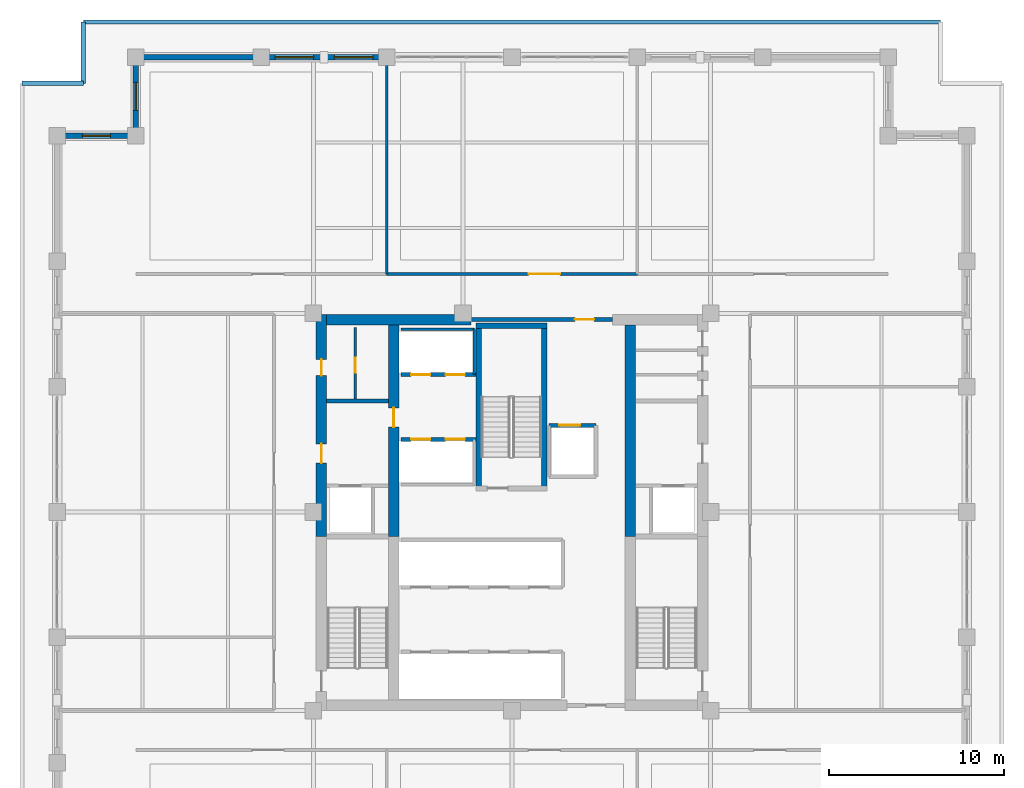
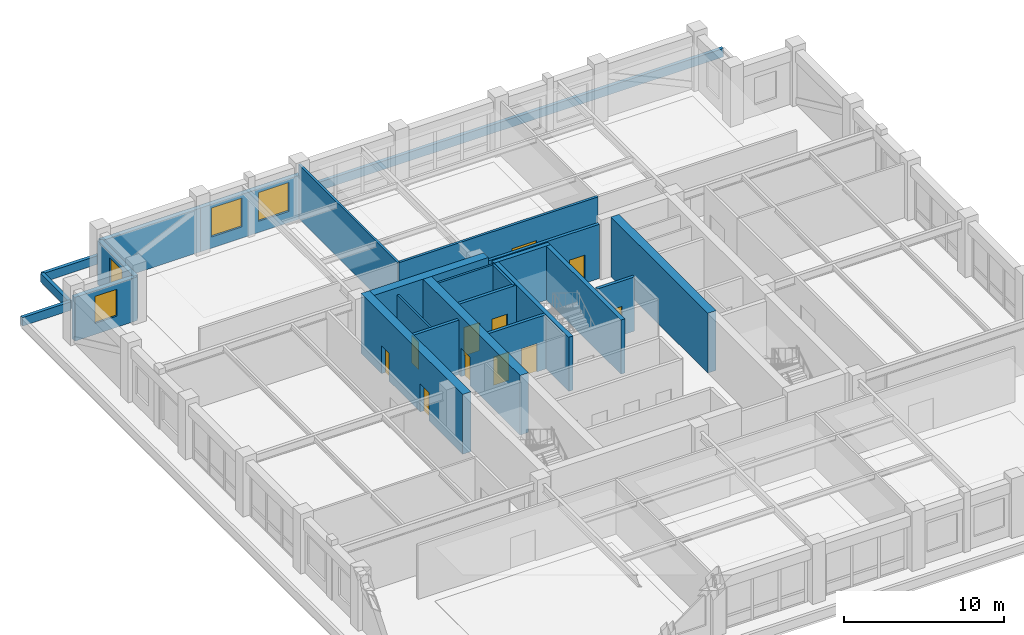
# One storey, part 10 of 16: 24 walls, 11 doors, 4 windows, 15 openings.
"""IFC4 building model written with IfcOpenShell, lengths in metres."""

from ifc_helpers import new_model, si_unit, direction, frame, frame_2d, origin, place, context, subcontext, project, spatial, rectangle, extrude, material, layer, layer_set, type_object, element, fill, save


model = new_model("IFC4")

# Units and contexts
model_context = context("Model", 3, precision=1e-05, world=origin(), true_north=direction((0.0, 1.0)))
body_context = subcontext(model_context, "Body", "Model", "MODEL_VIEW")
ifc_project = project(units=[si_unit("LENGTHUNIT", "METRE"), si_unit("AREAUNIT", "SQUARE_METRE"), si_unit("VOLUMEUNIT", "CUBIC_METRE"), si_unit("PLANEANGLEUNIT", "RADIAN"), si_unit("MASSUNIT", "GRAM", prefix="KILO")], contexts=[model_context])

# Site, building, storey
site_placement = place(None, origin())
site = spatial("IfcSite", under=ifc_project, at=site_placement, CompositionType="ELEMENT")
building_placement = place(site_placement, origin())
building = spatial("IfcBuilding", under=site, at=building_placement, Name="Nhamokura Convention Tower", CompositionType="ELEMENT")
storey_placement = place(building_placement, frame((0.0, 0.0, 106.050048828125)))
storey = spatial("IfcBuildingStorey", under=building, at=storey_placement, Name="L25", CompositionType="ELEMENT", Elevation=106.050048828125)

# Wall, opening, door
ifc_material_1 = material(Name="Moisture-resistant tile-backer partition", Category="masonry")
ifc_layer_1 = layer(ifc_material_1, 0.139892578125)
ifc_layer_set_1 = layer_set([ifc_layer_1], Name="BathroomWetWall_140")
wall_type_1 = type_object("IfcWallType", Name="BathroomWetWall_140", PredefinedType="STANDARD", material=ifc_layer_set_1)
wall_1_placement = place(storey_placement, frame((23.050048828125, 38.449951171875, 0.0), z_axis=(0.0, 0.0, 1.0), x_axis=(0.0, 1.0, 0.0)))
wall_1 = element("IfcWall", 1, at=wall_1_placement, inside=storey, type_object=wall_type_1, Name="L25 Wall INT-L25-CWNWV", PredefinedType="STANDARD", context=body_context, shape_type="SweptSolid", body=[
    extrude(rectangle(XDim=4.10009765625, YDim=0.139892578125, at=frame_2d((2.050048828125, 0.0))), origin(), (0.0, 0.0, 1.0), 4.1298828125),
])
opening_1_placement = place(wall_1_placement, frame((1.5, 0.0, 0.0)))
opening_1 = element("IfcOpeningElement", 2, at=opening_1_placement, cuts=wall_1, Name="Opening D-11", PredefinedType="OPENING", context=body_context, shape_type="SweptSolid", body=[
    extrude(rectangle(XDim=0.8798828125, YDim=2.10009765625, at=frame_2d((0.43994140625, 1.050048828125))), frame((0.0, 0.079833984375, 0.0), z_axis=(0.0, -1.0, 0.0), x_axis=(1.0, 0.0, 0.0)), (0.0, 0.0, 1.0), 0.159912109375),
])
ifc_material_2 = material(Name="Solid oak hardwood", Category="wood")
door_type_1 = type_object("IfcDoorType", Name="BathroomDoor_880", OperationType="NOTDEFINED", PredefinedType="DOOR", material=ifc_material_2)
door_1_placement = place(opening_1_placement, origin())
door_1 = element("IfcDoor", 3, at=door_1_placement, inside=storey, type_object=door_type_1, Name="L25 Inner Store Door", OperationType="SINGLE_SWING_LEFT", OverallHeight=2.10009765625, OverallWidth=0.8798828125, PredefinedType="DOOR", context=body_context, shape_type="SweptSolid", body=[
    extrude(rectangle(XDim=0.8798828125, YDim=2.10009765625, at=frame_2d((0.43994140625, 1.050048828125))), frame((0.0, 0.02490234375, 0.0), z_axis=(0.0, -1.0, 0.0), x_axis=(1.0, 0.0, 0.0)), (0.0, 0.0, 1.0), 0.050048828125),
])
fill(opening_1, door_1)

# Wall
ifc_material_3 = material(Name="Bronze-pigmented precast concrete C45/55", Category="concrete")
ifc_layer_2 = layer(ifc_material_3, 0.320068359375)
ifc_layer_set_2 = layer_set([ifc_layer_2], Name="BronzePrecastSpandrel_320")
wall_type_2 = type_object("IfcWallType", Name="BronzePrecastSpandrel_320", PredefinedType="USERDEFINED", material=ifc_layer_set_2)
wall_2_placement = place(storey_placement, frame((10.5, 58.0, 0.0), z_axis=(0.0, 0.0, 1.0), x_axis=(1.0, 0.0, 0.0)))
element("IfcWall", 4, at=wall_2_placement, inside=storey, type_object=wall_type_2, Name="L25 Braced-Bay Precast Wall NORTH 0", ObjectType="SPANDREL_WALL", PredefinedType="USERDEFINED", context=body_context, shape_type="SweptSolid", body=[
    extrude(rectangle(XDim=7.166748046875, YDim=0.320068359375, at=frame_2d((3.58349609375, 0.0))), origin(), (0.0, 0.0, 1.0), 3.329833984375),
])

# Wall, openings, windows
wall_3_placement = place(storey_placement, frame((17.666748046875, 58.0, 0.0), z_axis=(0.0, 0.0, 1.0), x_axis=(1.0, 0.0, 0.0)))
wall_3 = element("IfcWall", 5, at=wall_3_placement, inside=storey, type_object=wall_type_2, Name="L25 Masonry-Frame Wall NORTH 1", ObjectType="SPANDREL_WALL", PredefinedType="USERDEFINED", context=body_context, shape_type="SweptSolid", body=[
    extrude(rectangle(XDim=7.16650390625, YDim=0.320068359375, at=frame_2d((3.583251953125, 0.0))), origin(), (0.0, 0.0, 1.0), 3.329833984375),
])
opening_2_placement = place(wall_3_placement, frame((0.791748046875, 0.0, 0.85009765625)))
opening_2 = element("IfcOpeningElement", 6, at=opening_2_placement, cuts=wall_3, Name="Opening W-06", PredefinedType="OPENING", context=body_context, shape_type="SweptSolid", body=[
    extrude(rectangle(XDim=2.199951171875, YDim=2.199951171875, at=frame_2d((1.10009765625, 1.10009765625))), frame((0.0, 0.169921875, 0.0), z_axis=(0.0, -1.0, 0.0), x_axis=(1.0, 0.0, 0.0)), (0.0, 0.0, 1.0), 0.340087890625),
])
opening_3_placement = place(wall_3_placement, frame((4.175048828125, 0.0, 0.85009765625)))
opening_3 = element("IfcOpeningElement", 7, at=opening_3_placement, cuts=wall_3, Name="Opening W-06", PredefinedType="OPENING", context=body_context, shape_type="SweptSolid", body=[
    extrude(rectangle(XDim=2.199951171875, YDim=2.199951171875, at=frame_2d((1.10009765625, 1.10009765625))), frame((0.0, 0.169921875, 0.0), z_axis=(0.0, -1.0, 0.0), x_axis=(1.0, 0.0, 0.0)), (0.0, 0.0, 1.0), 0.340087890625),
])
ifc_material_4 = material(Name="Solar-control bronze low-E double glass", Category="glass")
window_type_1 = type_object("IfcWindowType", Name="OfficeModuleWindow_Z2_2200", PartitioningType="SINGLE_PANEL", PredefinedType="WINDOW", material=ifc_material_4)
window_1_placement = place(opening_2_placement, origin())
window_1 = element("IfcWindow", 8, at=window_1_placement, inside=storey, type_object=window_type_1, Name="L25 Facade Window NORTH 1-1", OverallHeight=2.199951171875, OverallWidth=2.199951171875, PartitioningType="SINGLE_PANEL", PredefinedType="WINDOW", context=body_context, shape_type="SweptSolid", body=[
    extrude(rectangle(XDim=2.199951171875, YDim=2.199951171875, at=frame_2d((1.10009765625, 1.10009765625))), frame((0.0, 0.030029296875, 0.0), z_axis=(0.0, -1.0, 0.0), x_axis=(1.0, 0.0, 0.0)), (0.0, 0.0, 1.0), 0.06005859375),
])
fill(opening_2, window_1)
window_2_placement = place(opening_3_placement, origin())
window_2 = element("IfcWindow", 9, at=window_2_placement, inside=storey, type_object=window_type_1, Name="L25 Facade Window NORTH 1-2", OverallHeight=2.199951171875, OverallWidth=2.199951171875, PartitioningType="SINGLE_PANEL", PredefinedType="WINDOW", context=body_context, shape_type="SweptSolid", body=[
    extrude(rectangle(XDim=2.199951171875, YDim=2.199951171875, at=frame_2d((1.10009765625, 1.10009765625))), frame((0.0, 0.030029296875, 0.0), z_axis=(0.0, -1.0, 0.0), x_axis=(1.0, 0.0, 0.0)), (0.0, 0.0, 1.0), 0.06005859375),
])
fill(opening_3, window_2)

# Wall, opening, window
wall_4_placement = place(storey_placement, frame((10.5, 53.5, 0.0), z_axis=(0.0, 0.0, 1.0), x_axis=(0.0, 1.0, 0.0)))
wall_4 = element("IfcWall", 10, at=wall_4_placement, inside=storey, type_object=wall_type_2, Name="L25 Notched Corner Wall NW1", ObjectType="SPANDREL_WALL", PredefinedType="USERDEFINED", context=body_context, shape_type="SweptSolid", body=[
    extrude(rectangle(XDim=4.5, YDim=0.320068359375, at=frame_2d((2.25, 0.0))), origin(), (0.0, 0.0, 1.0), 3.329833984375),
])
opening_4_placement = place(wall_4_placement, frame((1.449951171875, 0.0, 0.85009765625)))
opening_4 = element("IfcOpeningElement", 11, at=opening_4_placement, cuts=wall_4, Name="Opening W-11", PredefinedType="OPENING", context=body_context, shape_type="SweptSolid", body=[
    extrude(rectangle(XDim=1.60009765625, YDim=2.050048828125, at=frame_2d((0.800048828125, 1.02490234375))), frame((0.0, 0.169921875, 0.0), z_axis=(0.0, -1.0, 0.0), x_axis=(1.0, 0.0, 0.0)), (0.0, 0.0, 1.0), 0.340087890625),
])
ifc_material_5 = material(Name="Solar-control bronze low-E double glass", Category="glass")
window_type_2 = type_object("IfcWindowType", Name="NotchCornerWindow_1600", PartitioningType="SINGLE_PANEL", PredefinedType="WINDOW", material=ifc_material_5)
window_3_placement = place(opening_4_placement, origin())
window_3 = element("IfcWindow", 12, at=window_3_placement, inside=storey, type_object=window_type_2, Name="L25 Notched Corner Window NW1", OverallHeight=2.050048828125, OverallWidth=1.60009765625, PartitioningType="SINGLE_PANEL", PredefinedType="WINDOW", context=body_context, shape_type="SweptSolid", body=[
    extrude(rectangle(XDim=1.60009765625, YDim=2.050048828125, at=frame_2d((0.800048828125, 1.02490234375))), frame((0.0, 0.030029296875, 0.0), z_axis=(0.0, -1.0, 0.0), x_axis=(1.0, 0.0, 0.0)), (0.0, 0.0, 1.0), 0.06005859375),
])
fill(opening_4, window_3)

wall_5_placement = place(storey_placement, frame((6.0, 53.5, 0.0), z_axis=(0.0, 0.0, 1.0), x_axis=(1.0, 0.0, 0.0)))
wall_5 = element("IfcWall", 13, at=wall_5_placement, inside=storey, type_object=wall_type_2, Name="L25 Notched Corner Wall NW2", ObjectType="SPANDREL_WALL", PredefinedType="USERDEFINED", context=body_context, shape_type="SweptSolid", body=[
    extrude(rectangle(XDim=4.5, YDim=0.320068359375, at=frame_2d((2.25, 0.0))), origin(), (0.0, 0.0, 1.0), 3.329833984375),
])
opening_5_placement = place(wall_5_placement, frame((1.449951171875, 0.0, 0.85009765625)))
opening_5 = element("IfcOpeningElement", 14, at=opening_5_placement, cuts=wall_5, Name="Opening W-11", PredefinedType="OPENING", context=body_context, shape_type="SweptSolid", body=[
    extrude(rectangle(XDim=1.60009765625, YDim=2.050048828125, at=frame_2d((0.800048828125, 1.02490234375))), frame((0.0, 0.169921875, 0.0), z_axis=(0.0, -1.0, 0.0), x_axis=(1.0, 0.0, 0.0)), (0.0, 0.0, 1.0), 0.340087890625),
])
window_4_placement = place(opening_5_placement, origin())
window_4 = element("IfcWindow", 15, at=window_4_placement, inside=storey, type_object=window_type_2, Name="L25 Notched Corner Window NW2", OverallHeight=2.050048828125, OverallWidth=1.60009765625, PartitioningType="SINGLE_PANEL", PredefinedType="WINDOW", context=body_context, shape_type="SweptSolid", body=[
    extrude(rectangle(XDim=1.60009765625, YDim=2.050048828125, at=frame_2d((0.800048828125, 1.02490234375))), frame((0.0, 0.030029296875, 0.0), z_axis=(0.0, -1.0, 0.0), x_axis=(1.0, 0.0, 0.0)), (0.0, 0.0, 1.0), 0.06005859375),
])
fill(opening_5, window_4)

# Wall, openings, doors
ifc_material_6 = material(Name="Concrete C60/75", Category="concrete")
ifc_layer_3 = layer(ifc_material_6, 0.60009765625)
ifc_layer_set_3 = layer_set([ifc_layer_3], Name="CoreShearWall_600")
wall_type_3 = type_object("IfcWallType", Name="CoreShearWall_600", PredefinedType="SHEAR", material=ifc_layer_set_3)
wall_6_placement = place(storey_placement, frame((21.110107421875, 30.60009765625, 0.0), z_axis=(0.0, 0.0, 1.0), x_axis=(0.0, 1.0, 0.0)))
wall_6 = element("IfcWall", 16, at=wall_6_placement, inside=storey, type_object=wall_type_3, Name="L25 Core Shear Wall CW-WN", PredefinedType="SHEAR", context=body_context, shape_type="SweptSolid", body=[
    extrude(rectangle(XDim=12.699951171875, YDim=0.60009765625, at=frame_2d((6.35009765625, 0.0))), origin(), (0.0, 0.0, 1.0), 4.550048828125),
])
opening_6_placement = place(wall_6_placement, frame((4.199951171875, 0.0, 0.0)))
opening_6 = element("IfcOpeningElement", 17, at=opening_6_placement, cuts=wall_6, Name="Opening D-05", PredefinedType="OPENING", context=body_context, shape_type="SweptSolid", body=[
    extrude(rectangle(XDim=1.10009765625, YDim=2.14990234375, at=frame_2d((0.550048828125, 1.074951171875))), frame((0.0, 0.31005859375, 0.0), z_axis=(0.0, -1.0, 0.0), x_axis=(1.0, 0.0, 0.0)), (0.0, 0.0, 1.0), 0.6201171875),
])
opening_7_placement = place(wall_6_placement, frame((9.199951171875, 0.0, 0.0)))
opening_7 = element("IfcOpeningElement", 18, at=opening_7_placement, cuts=wall_6, Name="Opening D-10", PredefinedType="OPENING", context=body_context, shape_type="SweptSolid", body=[
    extrude(rectangle(XDim=0.919921875, YDim=2.10009765625, at=frame_2d((0.4599609375, 1.050048828125))), frame((0.0, 0.31005859375, 0.0), z_axis=(0.0, -1.0, 0.0), x_axis=(1.0, 0.0, 0.0)), (0.0, 0.0, 1.0), 0.6201171875),
])
ifc_material_7 = material(Name="Solid oak hardwood", Category="wood")
door_type_2 = type_object("IfcDoorType", Name="AccessibleWCDoor_920", OperationType="NOTDEFINED", PredefinedType="DOOR", material=ifc_material_7)
door_2_placement = place(opening_7_placement, origin())
door_2 = element("IfcDoor", 19, at=door_2_placement, inside=storey, type_object=door_type_2, Name="L25 Core Door INT-L25-D-AWCW", OperationType="SINGLE_SWING_RIGHT", OverallHeight=2.10009765625, OverallWidth=0.919921875, PredefinedType="DOOR", context=body_context, shape_type="SweptSolid", body=[
    extrude(rectangle(XDim=0.919921875, YDim=2.10009765625, at=frame_2d((0.4599609375, 1.050048828125))), frame((0.0, 0.02490234375, 0.0), z_axis=(0.0, -1.0, 0.0), x_axis=(1.0, 0.0, 0.0)), (0.0, 0.0, 1.0), 0.050048828125),
])
fill(opening_7, door_2)
ifc_material_8 = material(Name="Fire-rated steel door", Category="steel")
door_type_3 = type_object("IfcDoorType", Name="FireLobbyDoor_1100", OperationType="NOTDEFINED", PredefinedType="DOOR", material=ifc_material_8)
door_3_placement = place(opening_6_placement, origin())
door_3 = element("IfcDoor", 20, at=door_3_placement, inside=storey, type_object=door_type_3, Name="L25 Core Door INT-L25-D-FFLW", OperationType="SINGLE_SWING_RIGHT", OverallHeight=2.14990234375, OverallWidth=1.10009765625, PredefinedType="DOOR", context=body_context, shape_type="SweptSolid", body=[
    extrude(rectangle(XDim=1.10009765625, YDim=2.14990234375, at=frame_2d((0.550048828125, 1.074951171875))), frame((0.0, 0.02490234375, 0.0), z_axis=(0.0, -1.0, 0.0), x_axis=(1.0, 0.0, 0.0)), (0.0, 0.0, 1.0), 0.050048828125),
])
fill(opening_6, door_3)

# Wall
wall_7_placement = place(storey_placement, frame((21.409912109375, 43.0, 0.0), z_axis=(0.0, 0.0, 1.0), x_axis=(1.0, 0.0, 0.0)))
element("IfcWall", 21, at=wall_7_placement, inside=storey, type_object=wall_type_3, Name="L25 Core Shear Wall CW-N1", PredefinedType="SHEAR", context=body_context, shape_type="SweptSolid", body=[
    extrude(rectangle(XDim=8.239990234375, YDim=0.60009765625, at=frame_2d((4.1201171875, 0.0))), origin(), (0.0, 0.0, 1.0), 4.550048828125),
])

# Wall, opening, door
wall_8_placement = place(storey_placement, frame((25.239990234375, 30.60009765625, 0.0), z_axis=(0.0, 0.0, 1.0), x_axis=(0.0, 1.0, 0.0)))
wall_8 = element("IfcWall", 22, at=wall_8_placement, inside=storey, type_object=wall_type_3, Name="L25 Core Shear Wall CW-IWN", PredefinedType="SHEAR", context=body_context, shape_type="SweptSolid", body=[
    extrude(rectangle(XDim=12.099853515625, YDim=0.60009765625, at=frame_2d((6.0498046875, 0.0))), origin(), (0.0, 0.0, 1.0), 4.550048828125),
])
opening_8_placement = place(wall_8_placement, frame((6.25, 0.0, 0.0)))
opening_8 = element("IfcOpeningElement", 23, at=opening_8_placement, cuts=wall_8, Name="Opening D-05", PredefinedType="OPENING", context=body_context, shape_type="SweptSolid", body=[
    extrude(rectangle(XDim=1.10009765625, YDim=2.14990234375, at=frame_2d((0.550048828125, 1.074951171875))), frame((0.0, 0.31005859375, 0.0), z_axis=(0.0, -1.0, 0.0), x_axis=(1.0, 0.0, 0.0)), (0.0, 0.0, 1.0), 0.6201171875),
])
door_4_placement = place(opening_8_placement, origin())
door_4 = element("IfcDoor", 24, at=door_4_placement, inside=storey, type_object=door_type_3, Name="L25 Core Door INT-L25-D-B3LOB", OperationType="SINGLE_SWING_LEFT", OverallHeight=2.14990234375, OverallWidth=1.10009765625, PredefinedType="DOOR", context=body_context, shape_type="SweptSolid", body=[
    extrude(rectangle(XDim=1.10009765625, YDim=2.14990234375, at=frame_2d((0.550048828125, 1.074951171875))), frame((0.0, 0.02490234375, 0.0), z_axis=(0.0, -1.0, 0.0), x_axis=(1.0, 0.0, 0.0)), (0.0, 0.0, 1.0), 0.050048828125),
])
fill(opening_8, door_4)

# Wall
wall_9_placement = place(storey_placement, frame((38.760009765625, 30.60009765625, 0.0), z_axis=(0.0, 0.0, 1.0), x_axis=(0.0, 1.0, 0.0)))
element("IfcWall", 25, at=wall_9_placement, inside=storey, type_object=wall_type_3, Name="L25 Core Shear Wall CW-IEN", PredefinedType="SHEAR", context=body_context, shape_type="SweptSolid", body=[
    extrude(rectangle(XDim=12.099853515625, YDim=0.60009765625, at=frame_2d((6.0498046875, 0.0))), origin(), (0.0, 0.0, 1.0), 4.550048828125),
])

# Wall, opening, door
ifc_material_9 = material(Name="Fire-rated gypsum and masonry partition", Category="masonry")
ifc_layer_4 = layer(ifc_material_9, 0.179931640625)
ifc_layer_set_4 = layer_set([ifc_layer_4], Name="CorridorRatedWall_180")
wall_type_4 = type_object("IfcWallType", Name="CorridorRatedWall_180", PredefinedType="STANDARD", material=ifc_layer_set_4)
wall_10_placement = place(storey_placement, frame((24.833251953125, 45.60009765625, 0.0), z_axis=(0.0, 0.0, 1.0), x_axis=(1.0, 0.0, 0.0)))
wall_10 = element("IfcWall", 26, at=wall_10_placement, inside=storey, type_object=wall_type_4, Name="L25 Wall INT-L25-CW-N01", PredefinedType="STANDARD", context=body_context, shape_type="SweptSolid", body=[
    extrude(rectangle(XDim=14.33349609375, YDim=0.179931640625, at=frame_2d((7.166748046875, 0.0))), origin(), (0.0, 0.0, 1.0), 4.1298828125),
])
opening_9_placement = place(wall_10_placement, frame((8.11669921875, 0.0, 0.0)))
opening_9 = element("IfcOpeningElement", 27, at=opening_9_placement, cuts=wall_10, Name="Opening D-03", PredefinedType="OPENING", context=body_context, shape_type="SweptSolid", body=[
    extrude(rectangle(XDim=1.800048828125, YDim=2.35009765625, at=frame_2d((0.89990234375, 1.175048828125))), frame((0.0, 0.099853515625, 0.0), z_axis=(0.0, -1.0, 0.0), x_axis=(1.0, 0.0, 0.0)), (0.0, 0.0, 1.0), 0.199951171875),
])
ifc_material_10 = material(Name="Solid oak hardwood", Category="wood")
door_type_4 = type_object("IfcDoorType", Name="BallroomDoubleDoor_1800", OperationType="DOUBLE_DOOR_SINGLE_SWING", PredefinedType="DOOR", material=ifc_material_10)
door_5_placement = place(opening_9_placement, origin())
door_5 = element("IfcDoor", 28, at=door_5_placement, inside=storey, type_object=door_type_4, Name="L25 Management Office N02 Door", OperationType="SINGLE_SWING_RIGHT", OverallHeight=2.35009765625, OverallWidth=1.800048828125, PredefinedType="DOOR", context=body_context, shape_type="SweptSolid", body=[
    extrude(rectangle(XDim=1.800048828125, YDim=2.35009765625, at=frame_2d((0.89990234375, 1.175048828125))), frame((0.0, 0.02490234375, 0.0), z_axis=(0.0, -1.0, 0.0), x_axis=(1.0, 0.0, 0.0)), (0.0, 0.0, 1.0), 0.050048828125),
])
fill(opening_9, door_5)

# Wall
ifc_material_11 = material(Name="Autoclaved concrete blockwork", Category="masonry")
ifc_layer_5 = layer(ifc_material_11, 0.219970703125)
ifc_layer_set_5 = layer_set([ifc_layer_5], Name="FireLobbyWall_220")
wall_type_5 = type_object("IfcWallType", Name="FireLobbyWall_220", PredefinedType="STANDARD", material=ifc_layer_set_5)
wall_11_placement = place(storey_placement, frame((21.409912109375, 38.35009765625, 0.0), z_axis=(0.0, 0.0, 1.0), x_axis=(1.0, 0.0, 0.0)))
element("IfcWall", 29, at=wall_11_placement, inside=storey, type_object=wall_type_5, Name="L25 Wall INT-L25-FFW-N", PredefinedType="STANDARD", context=body_context, shape_type="SweptSolid", body=[
    extrude(rectangle(XDim=3.530029296875, YDim=0.219970703125, at=frame_2d((1.76513671875, 0.0))), origin(), (0.0, 0.0, 1.0), 4.1298828125),
])

# Wall, openings, doors
wall_12_placement = place(storey_placement, frame((25.64990234375, 36.14990234375, 0.0), z_axis=(0.0, 0.0, 1.0), x_axis=(1.0, 0.0, 0.0)))
wall_12 = element("IfcWall", 30, at=wall_12_placement, inside=storey, type_object=wall_type_5, Name="L25 Wall INT-L25-B3S", PredefinedType="STANDARD", context=body_context, shape_type="SweptSolid", body=[
    extrude(rectangle(XDim=4.300048828125, YDim=0.219970703125, at=frame_2d((2.14990234375, 0.0))), origin(), (0.0, 0.0, 1.0), 4.1298828125),
])
opening_10_placement = place(wall_12_placement, frame((0.580078125, 0.0, 0.0)))
opening_10 = element("IfcOpeningElement", 31, at=opening_10_placement, cuts=wall_12, Name="Opening LD-01", PredefinedType="OPENING", context=body_context, shape_type="SweptSolid", body=[
    extrude(rectangle(XDim=1.10009765625, YDim=2.14990234375, at=frame_2d((0.550048828125, 1.074951171875))), frame((0.0, 0.119873046875, 0.0), z_axis=(0.0, -1.0, 0.0), x_axis=(1.0, 0.0, 0.0)), (0.0, 0.0, 1.0), 0.239990234375),
])
opening_11_placement = place(wall_12_placement, frame((2.550048828125, 0.0, 0.0)))
opening_11 = element("IfcOpeningElement", 32, at=opening_11_placement, cuts=wall_12, Name="Opening LD-01", PredefinedType="OPENING", context=body_context, shape_type="SweptSolid", body=[
    extrude(rectangle(XDim=1.10009765625, YDim=2.14990234375, at=frame_2d((0.550048828125, 1.074951171875))), frame((0.0, 0.119873046875, 0.0), z_axis=(0.0, -1.0, 0.0), x_axis=(1.0, 0.0, 0.0)), (0.0, 0.0, 1.0), 0.239990234375),
])
ifc_material_12 = material(Name="Anodised bronze stainless steel", Category="steel")
door_type_5 = type_object("IfcDoorType", Name="LiftLandingDoor_Passenger", OperationType="DOUBLE_DOOR_SLIDING", PredefinedType="DOOR", material=ifc_material_12)
door_6_placement = place(opening_10_placement, origin())
door_6 = element("IfcDoor", 33, at=door_6_placement, inside=storey, type_object=door_type_5, Name="L25 Lift LP-09 Door", OperationType="DOUBLE_DOOR_SLIDING", OverallHeight=2.14990234375, OverallWidth=1.10009765625, PredefinedType="DOOR", context=body_context, shape_type="SweptSolid", body=[
    extrude(rectangle(XDim=1.10009765625, YDim=2.14990234375, at=frame_2d((0.550048828125, 1.074951171875))), frame((0.0, 0.02490234375, 0.0), z_axis=(0.0, -1.0, 0.0), x_axis=(1.0, 0.0, 0.0)), (0.0, 0.0, 1.0), 0.050048828125),
])
fill(opening_10, door_6)
door_7_placement = place(opening_11_placement, origin())
door_7 = element("IfcDoor", 34, at=door_7_placement, inside=storey, type_object=door_type_5, Name="L25 Lift LP-10 Door", OperationType="DOUBLE_DOOR_SLIDING", OverallHeight=2.14990234375, OverallWidth=1.10009765625, PredefinedType="DOOR", context=body_context, shape_type="SweptSolid", body=[
    extrude(rectangle(XDim=1.10009765625, YDim=2.14990234375, at=frame_2d((0.550048828125, 1.074951171875))), frame((0.0, 0.02490234375, 0.0), z_axis=(0.0, -1.0, 0.0), x_axis=(1.0, 0.0, 0.0)), (0.0, 0.0, 1.0), 0.050048828125),
])
fill(opening_11, door_7)

wall_13_placement = place(storey_placement, frame((25.64990234375, 39.85009765625, 0.0), z_axis=(0.0, 0.0, 1.0), x_axis=(1.0, 0.0, 0.0)))
wall_13 = element("IfcWall", 35, at=wall_13_placement, inside=storey, type_object=wall_type_5, Name="L25 Wall INT-L25-B3N", PredefinedType="STANDARD", context=body_context, shape_type="SweptSolid", body=[
    extrude(rectangle(XDim=4.300048828125, YDim=0.219970703125, at=frame_2d((2.14990234375, 0.0))), origin(), (0.0, 0.0, 1.0), 4.1298828125),
])
opening_12_placement = place(wall_13_placement, frame((0.580078125, 0.0, 0.0)))
opening_12 = element("IfcOpeningElement", 36, at=opening_12_placement, cuts=wall_13, Name="Opening LD-01", PredefinedType="OPENING", context=body_context, shape_type="SweptSolid", body=[
    extrude(rectangle(XDim=1.10009765625, YDim=2.14990234375, at=frame_2d((0.550048828125, 1.074951171875))), frame((0.0, 0.119873046875, 0.0), z_axis=(0.0, -1.0, 0.0), x_axis=(1.0, 0.0, 0.0)), (0.0, 0.0, 1.0), 0.239990234375),
])
opening_13_placement = place(wall_13_placement, frame((2.550048828125, 0.0, 0.0)))
opening_13 = element("IfcOpeningElement", 37, at=opening_13_placement, cuts=wall_13, Name="Opening LD-01", PredefinedType="OPENING", context=body_context, shape_type="SweptSolid", body=[
    extrude(rectangle(XDim=1.10009765625, YDim=2.14990234375, at=frame_2d((0.550048828125, 1.074951171875))), frame((0.0, 0.119873046875, 0.0), z_axis=(0.0, -1.0, 0.0), x_axis=(1.0, 0.0, 0.0)), (0.0, 0.0, 1.0), 0.239990234375),
])
door_8_placement = place(opening_12_placement, origin())
door_8 = element("IfcDoor", 38, at=door_8_placement, inside=storey, type_object=door_type_5, Name="L25 Lift LP-11 Door", OperationType="DOUBLE_DOOR_SLIDING", OverallHeight=2.14990234375, OverallWidth=1.10009765625, PredefinedType="DOOR", context=body_context, shape_type="SweptSolid", body=[
    extrude(rectangle(XDim=1.10009765625, YDim=2.14990234375, at=frame_2d((0.550048828125, 1.074951171875))), frame((0.0, 0.02490234375, 0.0), z_axis=(0.0, -1.0, 0.0), x_axis=(1.0, 0.0, 0.0)), (0.0, 0.0, 1.0), 0.050048828125),
])
fill(opening_12, door_8)
door_9_placement = place(opening_13_placement, origin())
door_9 = element("IfcDoor", 39, at=door_9_placement, inside=storey, type_object=door_type_5, Name="L25 Lift LP-12 Door", OperationType="DOUBLE_DOOR_SLIDING", OverallHeight=2.14990234375, OverallWidth=1.10009765625, PredefinedType="DOOR", context=body_context, shape_type="SweptSolid", body=[
    extrude(rectangle(XDim=1.10009765625, YDim=2.14990234375, at=frame_2d((0.550048828125, 1.074951171875))), frame((0.0, 0.02490234375, 0.0), z_axis=(0.0, -1.0, 0.0), x_axis=(1.0, 0.0, 0.0)), (0.0, 0.0, 1.0), 0.050048828125),
])
fill(opening_13, door_9)

# Wall, opening, door
wall_14_placement = place(storey_placement, frame((29.64990234375, 43.0, 0.0), z_axis=(0.0, 0.0, 1.0), x_axis=(1.0, 0.0, 0.0)))
wall_14 = element("IfcWall", 40, at=wall_14_placement, inside=storey, type_object=wall_type_5, Name="L25 Wall INT-L25-CPORT-N", PredefinedType="STANDARD", context=body_context, shape_type="SweptSolid", body=[
    extrude(rectangle(XDim=8.10009765625, YDim=0.219970703125, at=frame_2d((4.050048828125, 0.0))), origin(), (0.0, 0.0, 1.0), 4.1298828125),
])
opening_14_placement = place(wall_14_placement, frame((5.949951171875, 0.0, 0.0)))
opening_14 = element("IfcOpeningElement", 41, at=opening_14_placement, cuts=wall_14, Name="Opening D-05", PredefinedType="OPENING", context=body_context, shape_type="SweptSolid", body=[
    extrude(rectangle(XDim=1.10009765625, YDim=2.14990234375, at=frame_2d((0.550048828125, 1.074951171875))), frame((0.0, 0.119873046875, 0.0), z_axis=(0.0, -1.0, 0.0), x_axis=(1.0, 0.0, 0.0)), (0.0, 0.0, 1.0), 0.239990234375),
])
door_10_placement = place(opening_14_placement, origin())
door_10 = element("IfcDoor", 42, at=door_10_placement, inside=storey, type_object=door_type_3, Name="L25 North Core Lobby Portal Door", OperationType="SINGLE_SWING_RIGHT", OverallHeight=2.14990234375, OverallWidth=1.10009765625, PredefinedType="DOOR", context=body_context, shape_type="SweptSolid", body=[
    extrude(rectangle(XDim=1.10009765625, YDim=2.14990234375, at=frame_2d((0.550048828125, 1.074951171875))), frame((0.0, 0.02490234375, 0.0), z_axis=(0.0, -1.0, 0.0), x_axis=(1.0, 0.0, 0.0)), (0.0, 0.0, 1.0), 0.050048828125),
])
fill(opening_14, door_10)

wall_15_placement = place(storey_placement, frame((34.1201171875, 36.949951171875, 0.0), z_axis=(0.0, 0.0, 1.0), x_axis=(1.0, 0.0, 0.0)))
wall_15 = element("IfcWall", 43, at=wall_15_placement, inside=storey, type_object=wall_type_5, Name="L25 Wall INT-L25-LSN", PredefinedType="STANDARD", context=body_context, shape_type="SweptSolid", body=[
    extrude(rectangle(XDim=2.679931640625, YDim=0.219970703125, at=frame_2d((1.33984375, 0.0))), origin(), (0.0, 0.0, 1.0), 4.1298828125),
])
opening_15_placement = place(wall_15_placement, frame((0.580078125, 0.0, 0.0)))
opening_15 = element("IfcOpeningElement", 44, at=opening_15_placement, cuts=wall_15, Name="Opening LD-02", PredefinedType="OPENING", context=body_context, shape_type="SweptSolid", body=[
    extrude(rectangle(XDim=1.199951171875, YDim=2.199951171875, at=frame_2d((0.60009765625, 1.10009765625))), frame((0.0, 0.119873046875, 0.0), z_axis=(0.0, -1.0, 0.0), x_axis=(1.0, 0.0, 0.0)), (0.0, 0.0, 1.0), 0.239990234375),
])
ifc_material_13 = material(Name="Anodised bronze stainless steel", Category="steel")
door_type_6 = type_object("IfcDoorType", Name="LiftLandingDoor_FireService", OperationType="DOUBLE_DOOR_SLIDING", PredefinedType="DOOR", material=ifc_material_13)
door_11_placement = place(opening_15_placement, origin())
door_11 = element("IfcDoor", 45, at=door_11_placement, inside=storey, type_object=door_type_6, Name="L25 Service Lift LS-01 Door", OperationType="DOUBLE_DOOR_SLIDING", OverallHeight=2.199951171875, OverallWidth=1.199951171875, PredefinedType="DOOR", context=body_context, shape_type="SweptSolid", body=[
    extrude(rectangle(XDim=1.199951171875, YDim=2.199951171875, at=frame_2d((0.60009765625, 1.10009765625))), frame((0.0, 0.02490234375, 0.0), z_axis=(0.0, -1.0, 0.0), x_axis=(1.0, 0.0, 0.0)), (0.0, 0.0, 1.0), 0.050048828125),
])
fill(opening_15, door_11)

# Walls
ifc_material_14 = material(Name="Acoustic gypsum stud partition", Category="masonry")
ifc_layer_6 = layer(ifc_material_14, 0.14990234375)
ifc_layer_set_6 = layer_set([ifc_layer_6], Name="InteriorPartition_150")
wall_type_6 = type_object("IfcWallType", Name="InteriorPartition_150", PredefinedType="STANDARD", material=ifc_layer_set_6)
wall_16_placement = place(storey_placement, frame((25.64990234375, 42.449951171875, 0.0), z_axis=(0.0, 0.0, 1.0), x_axis=(1.0, 0.0, 0.0)))
element("IfcWall", 46, at=wall_16_placement, inside=storey, type_object=wall_type_6, Name="L25 Wall INT-L25-B3B-N", PredefinedType="STANDARD", context=body_context, shape_type="SweptSolid", body=[
    extrude(rectangle(XDim=4.2001953125, YDim=0.14990234375, at=frame_2d((2.10009765625, 0.0))), origin(), (0.0, 0.0, 1.0), 4.1298828125),
])
wall_17_placement = place(storey_placement, frame((29.85009765625, 39.85009765625, 0.0), z_axis=(0.0, 0.0, 1.0), x_axis=(0.0, 1.0, 0.0)))
element("IfcWall", 47, at=wall_17_placement, inside=storey, type_object=wall_type_6, Name="L25 Wall INT-L25-B3B-E", PredefinedType="STANDARD", context=body_context, shape_type="SweptSolid", body=[
    extrude(rectangle(XDim=2.599853515625, YDim=0.14990234375, at=frame_2d((1.2998046875, 0.0))), origin(), (0.0, 0.0, 1.0), 4.1298828125),
])
wall_18_placement = place(storey_placement, frame((24.833251953125, 45.60009765625, 0.0), z_axis=(0.0, 0.0, 1.0), x_axis=(0.0, 1.0, 0.0)))
element("IfcWall", 48, at=wall_18_placement, inside=storey, type_object=wall_type_6, Name="L25 Wall INT-L25-RW-N01", PredefinedType="STANDARD", context=body_context, shape_type="SweptSolid", body=[
    extrude(rectangle(XDim=12.33984375, YDim=0.14990234375, at=frame_2d((6.169921875, 0.0))), origin(), (0.0, 0.0, 1.0), 4.1298828125),
])
ifc_material_15 = material(Name="Concrete C50/60", Category="concrete")
ifc_layer_7 = layer(ifc_material_15, 0.300048828125)
ifc_layer_set_7 = layer_set([ifc_layer_7], Name="ShaftEnclosureWall_300")
wall_type_7 = type_object("IfcWallType", Name="ShaftEnclosureWall_300", PredefinedType="SHEAR", material=ifc_layer_set_7)
for number, where, z_axis, x_axis, name in (
    (49, (30.10009765625, 33.199951171875, 0.0), (0.0, 0.0, 1.0), (0.0, 1.0, 0.0), "L25 Wall INT-L25-ST03W"),
    (50, (33.85009765625, 33.199951171875, 0.0), (0.0, 0.0, 1.0), (0.0, 1.0, 0.0), "L25 Wall INT-L25-ST03E"),
):
    element("IfcWall", number, at=place(storey_placement, frame(where, z_axis=z_axis, x_axis=x_axis)), inside=storey, type_object=wall_type_7, Name=name, PredefinedType="SHEAR", context=body_context, shape_type="SweptSolid", body=[
        extrude(rectangle(XDim=9.60009765625, YDim=0.300048828125, at=frame_2d((4.800048828125, 0.0))), origin(), (0.0, 0.0, 1.0), 4.1298828125),
    ])
wall_19_placement = place(storey_placement, frame((29.949951171875, 42.64990234375, 0.0), z_axis=(0.0, 0.0, 1.0), x_axis=(1.0, 0.0, 0.0)))
element("IfcWall", 51, at=wall_19_placement, inside=storey, type_object=wall_type_7, Name="L25 Wall INT-L25-ST03N", PredefinedType="SHEAR", context=body_context, shape_type="SweptSolid", body=[
    extrude(rectangle(XDim=4.050048828125, YDim=0.300048828125, at=frame_2d((2.02490234375, 0.0))), origin(), (0.0, 0.0, 1.0), 4.1298828125),
])
ifc_material_16 = material(Name="Bronze-pigmented precast concrete C45/55", Category="concrete")
ifc_layer_8 = layer(ifc_material_16, 0.239990234375)
ifc_layer_set_8 = layer_set([ifc_layer_8], Name="TerraceParapet_240")
wall_type_8 = type_object("IfcWallType", Name="TerraceParapet_240", PredefinedType="PARAPET", material=ifc_layer_set_8)
wall_20_placement = place(storey_placement, frame((56.5, 60.0, 0.0), z_axis=(0.0, 0.0, 1.0), x_axis=(-1.0, 0.0, 0.0)))
element("IfcWall", 52, at=wall_20_placement, inside=storey, type_object=wall_type_8, Name="L25 Setback Roof Parapet 06", PredefinedType="PARAPET", context=body_context, shape_type="SweptSolid", body=[
    extrude(rectangle(XDim=49.0, YDim=0.239990234375, at=frame_2d((24.5, 0.0))), origin(), (0.0, 0.0, 1.0), 0.64990234375),
])
for number, where, z_axis, x_axis, name in (
    (53, (7.5, 60.0, 0.0), (0.0, 0.0, 1.0), (0.0, -1.0, 0.0), "L25 Setback Roof Parapet 07"),
    (54, (7.5, 56.5, 0.0), (0.0, 0.0, 1.0), (-1.0, 0.0, 0.0), "L25 Setback Roof Parapet 08"),
):
    element("IfcWall", number, at=place(storey_placement, frame(where, z_axis=z_axis, x_axis=x_axis)), inside=storey, type_object=wall_type_8, Name=name, PredefinedType="PARAPET", context=body_context, shape_type="SweptSolid", body=[
        extrude(rectangle(XDim=3.5, YDim=0.239990234375, at=frame_2d((1.75, 0.0))), origin(), (0.0, 0.0, 1.0), 0.64990234375),
    ])

save(model, "model.ifc")
